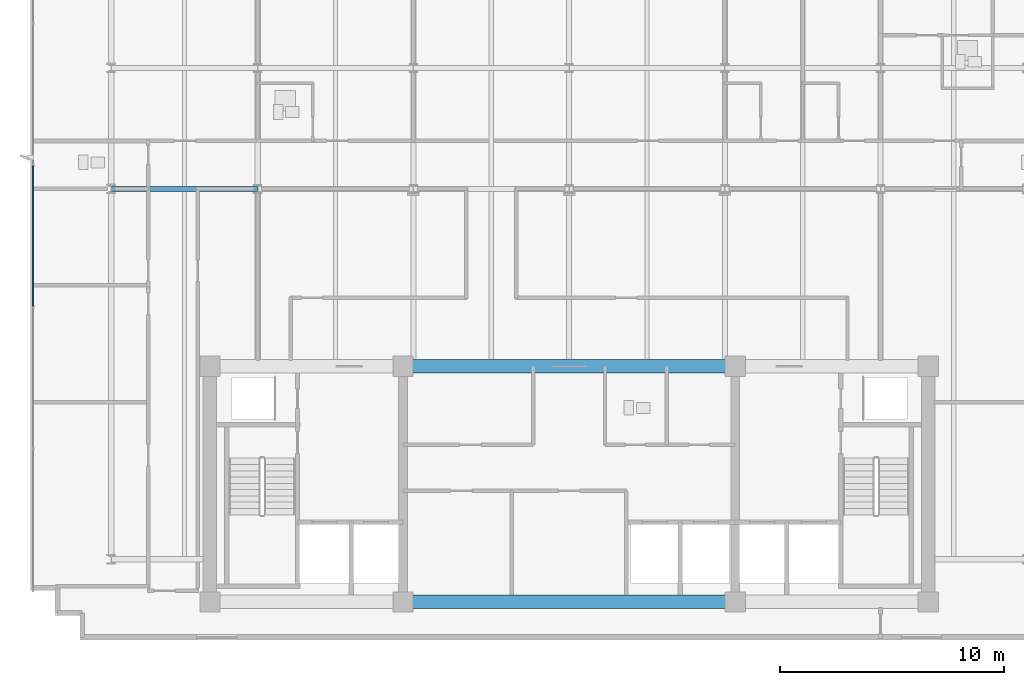
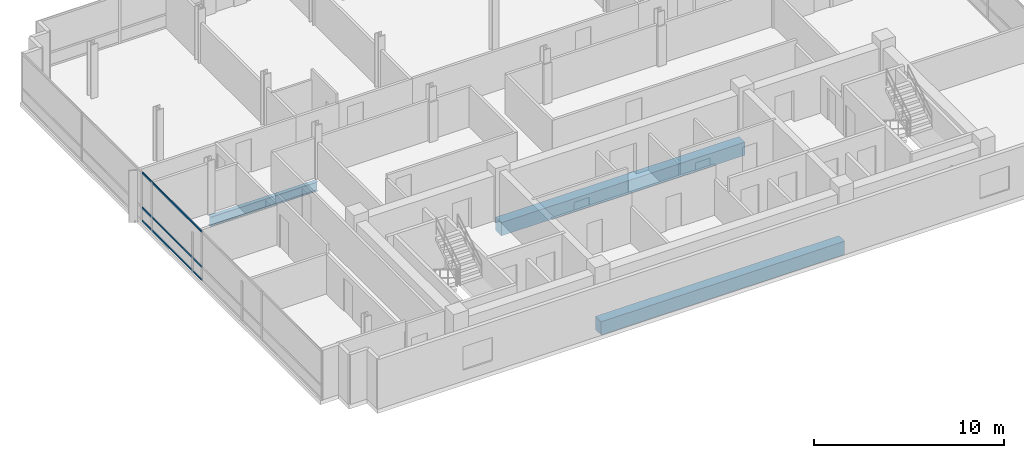
# One storey, part 3 of 17: 3 beams, 3 members, 1 element without a shape of its own.
"""IFC4 building model written with IfcOpenShell, lengths in metres."""

from ifc_helpers import new_model, si_unit, direction, frame, origin, origin_2d, place, context, subcontext, project, spatial, rectangle, i_section, extrude, material, material_profile, profile_set, type_object, element, aggregate, save


model = new_model("IFC4")

# Units and contexts
model_context = context("Model", 3, precision=1e-05, world=origin(), true_north=direction((0.0, 1.0)))
body_context = subcontext(model_context, "Body", "Model", "MODEL_VIEW")
ifc_project = project(units=[si_unit("LENGTHUNIT", "METRE"), si_unit("AREAUNIT", "SQUARE_METRE"), si_unit("VOLUMEUNIT", "CUBIC_METRE"), si_unit("PLANEANGLEUNIT", "RADIAN"), si_unit("MASSUNIT", "GRAM", prefix="KILO")], contexts=[model_context])

# Site, building, storey
site_placement = place(None, origin())
site = spatial("IfcSite", under=ifc_project, at=site_placement, CompositionType="ELEMENT")
building_placement = place(site_placement, origin())
building = spatial("IfcBuilding", under=site, at=building_placement, Name="Solmavex Isthmus Hotel", CompositionType="ELEMENT")
storey_placement = place(building_placement, frame((0.0, 0.0, 269.550048828125)))
storey = spatial("IfcBuildingStorey", under=building, at=storey_placement, Name="L73", CompositionType="ELEMENT", Elevation=269.550048828125)

# Beams
ifc_material_1 = material(Name="Steel ASTM A992 Grade 50", Category="steel")
ifc_material_profile_1 = material_profile(ifc_material_1, i_section(OverallWidth=0.227783203125, OverallDepth=0.602783203125, WebThickness=0.010498046875, FlangeThickness=0.014892578125, FilletRadius=0.01513671875, at=origin_2d()), Name="W24X68")
ifc_profile_set_1 = profile_set([ifc_material_profile_1], Name="Steel ASTM A992 Grade 50")
beam_type_1 = type_object("IfcBeamType", Name="BM-BM-W24X68", PredefinedType="BEAM", material=ifc_profile_set_1)
beam_placement = place(storey_placement, frame((-20.39990234375, 5.39990234375, -0.561279296875), z_axis=(1.0, 0.0, 0.0), x_axis=(0.0, 1.0, 0.0)))
element("IfcBeam", 1, at=beam_placement, inside=storey, type_object=beam_type_1, Name="Floor Girder L73-UG03", PredefinedType="BEAM", context=body_context, shape_type="SweptSolid", body=[
    extrude(i_section(OverallWidth=0.227783203125, OverallDepth=0.602783203125, WebThickness=0.010498046875, FlangeThickness=0.014892578125, FilletRadius=0.01513671875, at=origin_2d()), origin(), (0.0, 0.0, 1.0), 6.52783203125),
])
ifc_material_2 = material(Name="Concrete C50/60", Category="concrete")
ifc_material_profile_2 = material_profile(ifc_material_2, rectangle(XDim=0.60009765625, YDim=0.85009765625, at=origin_2d()), Name="RC600X850")
ifc_profile_set_2 = profile_set([ifc_material_profile_2], Name="Concrete C50/60")
beam_type_2 = type_object("IfcBeamType", Name="BM-CB-600X850", PredefinedType="BEAM", material=ifc_profile_set_2)
for number, where, z_axis, x_axis, name in (
    (2, (-7.39990234375, -13.0, -0.68505859375), (1.0, 0.0, 0.0), (0.0, 1.0, 0.0), "Core Coupling Beam L73-CB2"),
    (3, (-7.39990234375, -2.5, -0.68505859375), (1.0, 0.0, 0.0), (0.0, 1.0, 0.0), "Core Coupling Beam L73-CB5"),
):
    element("IfcBeam", number, at=place(storey_placement, frame(where, z_axis=z_axis, x_axis=x_axis)), inside=storey, type_object=beam_type_2, Name=name, PredefinedType="BEAM", context=body_context, shape_type="SweptSolid", body=[
        extrude(rectangle(XDim=0.60009765625, YDim=0.85009765625, at=origin_2d()), origin(), (0.0, 0.0, 1.0), 14.7998046875),
    ])

# Curtain wall, members
ifc_material_3 = material(Name="Aluminium alloy 6063-T6", Category="aluminium")
curtain_wall_type = type_object("IfcCurtainWallType", Name="CW-SYS-06", PredefinedType="NOTDEFINED", material=ifc_material_3)
curtain_wall_placement = place(storey_placement, origin())
curtain_wall = element("IfcCurtainWall", 4, at=curtain_wall_placement, inside=storey, type_object=curtain_wall_type, Name="Stick Curtain Wall CWL-L73-W1", PredefinedType="NOTDEFINED")
ifc_material_profile_3 = material_profile(ifc_material_3, rectangle(XDim=0.06005859375, YDim=0.114990234375, at=origin_2d()), Name="CWT-60X115")
ifc_profile_set_3 = profile_set([ifc_material_profile_3], Name="Aluminium alloy 6063-T6")
member_type = type_object("IfcMemberType", Name="CW-SYS-06-TRN", PredefinedType="USERDEFINED", material=ifc_profile_set_3)
member_1_placement = place(storey_placement, frame((-23.8798828125, 0.169921875, 0.057373046875), z_axis=(0.0, 1.0, 0.0), x_axis=(-1.0, 0.0, 0.0)))
member_1 = element("IfcMember", 5, at=member_1_placement, type_object=member_type, Name="CW-06 transom 3.1", ObjectType="TRANSOM", PredefinedType="USERDEFINED", context=body_context, shape_type="SweptSolid", body=[
    extrude(rectangle(XDim=0.06005859375, YDim=0.114990234375, at=origin_2d()), origin(), (0.0, 0.0, 1.0), 6.260009765625),
])
member_2_placement = place(storey_placement, frame((-23.8798828125, 0.169921875, 0.89990234375), z_axis=(0.0, 1.0, 0.0), x_axis=(-1.0, 0.0, 0.0)))
member_2 = element("IfcMember", 6, at=member_2_placement, type_object=member_type, Name="CW-06 transom 3.2", ObjectType="TRANSOM", PredefinedType="USERDEFINED", context=body_context, shape_type="SweptSolid", body=[
    extrude(rectangle(XDim=0.06005859375, YDim=0.114990234375, at=origin_2d()), origin(), (0.0, 0.0, 1.0), 6.260009765625),
])
member_3_placement = place(storey_placement, frame((-23.8798828125, 0.169921875, 3.132568359375), z_axis=(0.0, 1.0, 0.0), x_axis=(-1.0, 0.0, 0.0)))
member_3 = element("IfcMember", 7, at=member_3_placement, type_object=member_type, Name="CW-06 transom 3.3", ObjectType="TRANSOM", PredefinedType="USERDEFINED", context=body_context, shape_type="SweptSolid", body=[
    extrude(rectangle(XDim=0.06005859375, YDim=0.114990234375, at=origin_2d()), origin(), (0.0, 0.0, 1.0), 6.260009765625),
])
aggregate(curtain_wall, [member_1, member_2, member_3])

save(model, "model.ifc")
